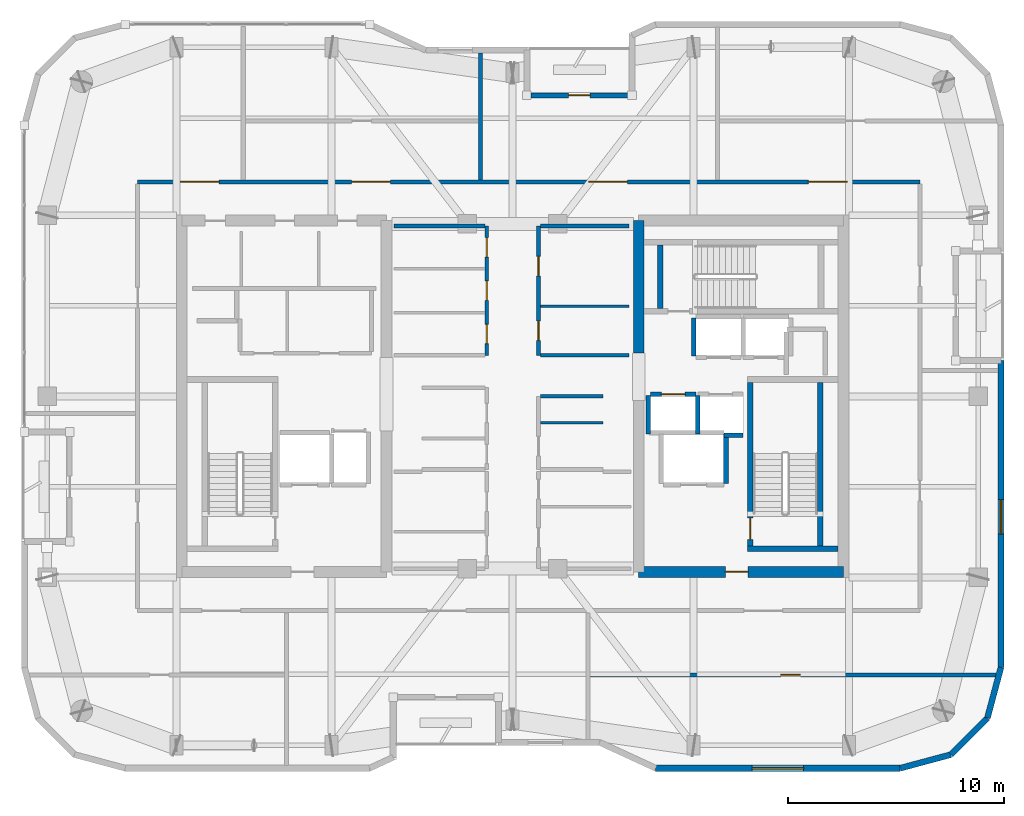
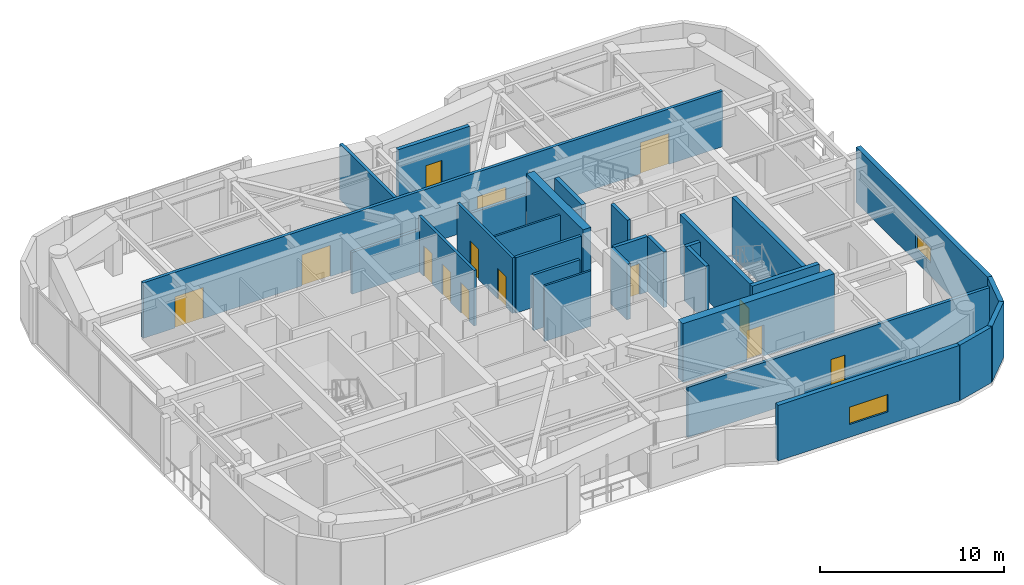
# One storey, part 12 of 16: 29 walls, 14 doors, 2 windows, 16 openings.
"""IFC4 building model written with IfcOpenShell, lengths in metres."""

from ifc_helpers import new_model, si_unit, direction, frame, frame_2d, origin, place, context, subcontext, project, spatial, rectangle, extrude, material, layer, layer_set, type_object, element, fill, save


model = new_model("IFC4")

# Units and contexts
model_context = context("Model", 3, precision=1e-05, world=origin(), true_north=direction((0.0, 1.0)))
body_context = subcontext(model_context, "Body", "Model", "MODEL_VIEW")
ifc_project = project(units=[si_unit("LENGTHUNIT", "METRE"), si_unit("AREAUNIT", "SQUARE_METRE"), si_unit("VOLUMEUNIT", "CUBIC_METRE"), si_unit("PLANEANGLEUNIT", "RADIAN"), si_unit("MASSUNIT", "GRAM", prefix="KILO")], contexts=[model_context])

# Site, building, storey
site_placement = place(None, origin())
site = spatial("IfcSite", under=ifc_project, at=site_placement, CompositionType="ELEMENT")
building_placement = place(site_placement, origin())
building = spatial("IfcBuilding", under=site, at=building_placement, Name="Kiyonajd Concourse Tower", CompositionType="ELEMENT")
storey_placement = place(building_placement, frame((0.0, 0.0, 329.699951171875)))
storey = spatial("IfcBuildingStorey", under=building, at=storey_placement, Name="L83", CompositionType="ELEMENT", Elevation=329.699951171875)

# Wall
ifc_material_1 = material(Name="Concrete C60/75", Category="concrete")
ifc_layer_1 = layer(ifc_material_1, 0.5)
ifc_layer_set_1 = layer_set([ifc_layer_1], Name="Concrete C60/75")
wall_type_1 = type_object("IfcWallType", Name="WL-CORE-500", PredefinedType="SHEAR", material=ifc_layer_set_1)
wall_1_placement = place(storey_placement, frame((53.85009765625, 38.0, 0.0), z_axis=(0.0, 0.0, 1.0), x_axis=(0.0, 1.0, 0.0)))
element("IfcWall", 1, at=wall_1_placement, inside=storey, type_object=wall_type_1, Name="L83 East Core Inner North Shear Wall", PredefinedType="SHEAR", context=body_context, shape_type="SweptSolid", body=[
    extrude(rectangle(XDim=6.14990234375, YDim=0.5, at=frame_2d((3.074951171875, 0.0))), origin(), (0.0, 0.0, 1.0), 3.900146484375),
])

# Wall, opening, door
wall_2_placement = place(storey_placement, frame((53.85009765625, 27.85009765625, 0.0), z_axis=(0.0, 0.0, 1.0), x_axis=(1.0, 0.0, 0.0)))
wall_2 = element("IfcWall", 2, at=wall_2_placement, inside=storey, type_object=wall_type_1, Name="L83 East Core South Shear Wall", PredefinedType="SHEAR", context=body_context, shape_type="SweptSolid", body=[
    extrude(rectangle(XDim=9.5, YDim=0.5, at=frame_2d((4.75, 0.0))), origin(), (0.0, 0.0, 1.0), 3.900146484375),
])
opening_1_placement = place(wall_2_placement, frame((4.02490234375, 0.0, 0.0)))
opening_1 = element("IfcOpeningElement", 3, at=opening_1_placement, cuts=wall_2, Name="Opening DF5", PredefinedType="OPENING", context=body_context, shape_type="SweptSolid", body=[
    extrude(rectangle(XDim=1.050048828125, YDim=2.0400390625, at=frame_2d((0.52490234375, 1.02001953125))), frame((0.0, 0.260009765625, 0.0), z_axis=(0.0, -1.0, 0.0), x_axis=(1.0, 0.0, 0.0)), (0.0, 0.0, 1.0), 0.52001953125),
])
ifc_material_2 = material(Name="Brushed Stainless Steel Cab Assembly", Category="steel")
door_type_1 = type_object("IfcDoorType", Name="DR-FD45-1050", OperationType="NOTDEFINED", PredefinedType="DOOR", material=ifc_material_2)
door_1_placement = place(opening_1_placement, origin())
door_1 = element("IfcDoor", 4, at=door_1_placement, inside=storey, type_object=door_type_1, Name="L83 Firefighting Lift Lobby E Smoke Door", OperationType="SINGLE_SWING_RIGHT", OverallHeight=2.0400390625, OverallWidth=1.050048828125, PredefinedType="DOOR", context=body_context, shape_type="SweptSolid", body=[
    extrude(rectangle(XDim=1.050048828125, YDim=2.0400390625, at=frame_2d((0.52490234375, 1.02001953125))), frame((0.0, 0.02490234375, 0.0), z_axis=(0.0, -1.0, 0.0), x_axis=(1.0, 0.0, 0.0)), (0.0, 0.0, 1.0), 0.050048828125),
])
fill(opening_1, door_1)

# Wall, opening, window
ifc_material_3 = material(Name="Precast concrete C50/60", Category="concrete")
ifc_layer_2 = layer(ifc_material_3, 0.280029296875)
ifc_layer_set_2 = layer_set([ifc_layer_2], Name="Precast concrete C50/60")
wall_type_2 = type_object("IfcWallType", Name="WL-EXT-280", PredefinedType="SOLIDWALL", material=ifc_layer_set_2)
wall_3_placement = place(storey_placement, frame((70.659912109375, 37.659912109375, 0.0), z_axis=(0.0, 0.0, 1.0), x_axis=(0.0, -1.0, 0.0)))
wall_3 = element("IfcWall", 5, at=wall_3_placement, inside=storey, type_object=wall_type_2, Name="L83 Exterior Concrete Frame Wall 24", PredefinedType="SOLIDWALL", context=body_context, shape_type="SweptSolid", body=[
    extrude(rectangle(XDim=14.241455078125, YDim=0.280029296875, at=frame_2d((7.12060546875, 0.0))), origin(), (0.0, 0.0, 1.0), 3.679931640625),
])
opening_2_placement = place(wall_3_placement, frame((6.4560546875, 0.0, 0.85009765625)))
opening_2 = element("IfcOpeningElement", 6, at=opening_2_placement, cuts=wall_3, Name="Opening WN6", PredefinedType="OPENING", context=body_context, shape_type="SweptSolid", body=[
    extrude(rectangle(XDim=1.60009765625, YDim=1.0, at=frame_2d((0.800048828125, 0.5))), frame((0.0, 0.14990234375, 0.0), z_axis=(0.0, -1.0, 0.0), x_axis=(1.0, 0.0, 0.0)), (0.0, 0.0, 1.0), 0.300048828125),
])
ifc_material_4 = material(Name="Double Low-E Insulated Glass", Category="glass")
window_type_1 = type_object("IfcWindowType", Name="WN-VIS-1600x1000", PartitioningType="SINGLE_PANEL", PredefinedType="WINDOW", material=ifc_material_4)
window_1_placement = place(opening_2_placement, origin())
window_1 = element("IfcWindow", 7, at=window_1_placement, inside=storey, type_object=window_type_1, Name="L83 Modular Facade Vision Window 24", OverallHeight=1.0, OverallWidth=1.60009765625, PartitioningType="SINGLE_PANEL", PredefinedType="WINDOW", context=body_context, shape_type="SweptSolid", body=[
    extrude(rectangle(XDim=1.60009765625, YDim=1.0, at=frame_2d((0.800048828125, 0.5))), frame((0.0, 0.030029296875, 0.0), z_axis=(0.0, -1.0, 0.0), x_axis=(1.0, 0.0, 0.0)), (0.0, 0.0, 1.0), 0.06005859375),
])
fill(opening_2, window_1)

# Walls
wall_4_placement = place(storey_placement, frame((70.659912109375, 23.41845703125, 0.0), z_axis=(0.0, 0.0, 1.0), x_axis=(-0.258751159445, -0.965944013639, 0.0)))
element("IfcWall", 8, at=wall_4_placement, inside=storey, type_object=wall_type_2, Name="L83 Exterior Concrete Frame Wall 25", PredefinedType="SOLIDWALL", context=body_context, shape_type="SweptSolid", body=[
    extrude(rectangle(XDim=2.4287109375, YDim=0.280029296875, at=frame_2d((1.21435546875, 0.0))), origin(), (0.0, 0.0, 1.0), 3.679931640625),
])
wall_5_placement = place(storey_placement, frame((70.031494140625, 21.072509765625, 0.0), z_axis=(0.0, 0.0, 1.0), x_axis=(-0.707106781187, -0.707106781187, 0.0)))
element("IfcWall", 9, at=wall_5_placement, inside=storey, type_object=wall_type_2, Name="L83 Exterior Concrete Frame Wall 26", PredefinedType="SOLIDWALL", context=body_context, shape_type="SweptSolid", body=[
    extrude(rectangle(XDim=2.409912109375, YDim=0.280029296875, at=frame_2d((1.205078125, 0.0))), origin(), (0.0, 0.0, 1.0), 3.679931640625),
])
wall_6_placement = place(storey_placement, frame((68.327392578125, 19.368408203125, 0.0), z_axis=(0.0, 0.0, 1.0), x_axis=(-0.965937282298, -0.25877628691, 0.0)))
element("IfcWall", 10, at=wall_6_placement, inside=storey, type_object=wall_type_2, Name="L83 Exterior Concrete Frame Wall 27", PredefinedType="SOLIDWALL", context=body_context, shape_type="SweptSolid", body=[
    extrude(rectangle(XDim=2.428466796875, YDim=0.280029296875, at=frame_2d((1.21435546875, 0.0))), origin(), (0.0, 0.0, 1.0), 3.679931640625),
])

# Wall, opening, window
wall_7_placement = place(storey_placement, frame((65.981689453125, 18.739990234375, 0.0), z_axis=(0.0, 0.0, 1.0), x_axis=(-1.0, 0.0, 0.0)))
wall_7 = element("IfcWall", 11, at=wall_7_placement, inside=storey, type_object=wall_type_2, Name="L83 Exterior Concrete Frame Wall 28", PredefinedType="SOLIDWALL", context=body_context, shape_type="SweptSolid", body=[
    extrude(rectangle(XDim=11.35107421875, YDim=0.280029296875, at=frame_2d((5.675537109375, 0.0))), origin(), (0.0, 0.0, 1.0), 3.679931640625),
])
opening_3_placement = place(wall_7_placement, frame((4.47509765625, 0.0, 0.85009765625)))
opening_3 = element("IfcOpeningElement", 12, at=opening_3_placement, cuts=wall_7, Name="Opening WN4", PredefinedType="OPENING", context=body_context, shape_type="SweptSolid", body=[
    extrude(rectangle(XDim=2.39990234375, YDim=1.14990234375, at=frame_2d((1.199951171875, 0.574951171875))), frame((0.0, 0.14990234375, 0.0), z_axis=(0.0, -1.0, 0.0), x_axis=(1.0, 0.0, 0.0)), (0.0, 0.0, 1.0), 0.300048828125),
])
window_type_2 = type_object("IfcWindowType", Name="WN-VIS-2400x1150", PartitioningType="SINGLE_PANEL", PredefinedType="WINDOW", material=ifc_material_4)
window_2_placement = place(opening_3_placement, origin())
window_2 = element("IfcWindow", 13, at=window_2_placement, inside=storey, type_object=window_type_2, Name="L83 Modular Facade Vision Window 28", OverallHeight=1.14990234375, OverallWidth=2.39990234375, PartitioningType="SINGLE_PANEL", PredefinedType="WINDOW", context=body_context, shape_type="SweptSolid", body=[
    extrude(rectangle(XDim=2.39990234375, YDim=1.14990234375, at=frame_2d((1.199951171875, 0.574951171875))), frame((0.0, 0.030029296875, 0.0), z_axis=(0.0, -1.0, 0.0), x_axis=(1.0, 0.0, 0.0)), (0.0, 0.0, 1.0), 0.06005859375),
])
fill(opening_3, window_2)

# Wall, opening, door
ifc_layer_3 = layer(ifc_material_3, 0.239990234375)
ifc_layer_set_3 = layer_set([ifc_layer_3], Name="Precast concrete C50/60")
wall_type_3 = type_object("IfcWallType", Name="WL-LOG-240", PredefinedType="SOLIDWALL", material=ifc_layer_set_3)
wall_8_placement = place(storey_placement, frame((48.85498046875, 49.9599609375, 0.0), z_axis=(0.0, 0.0, 1.0), x_axis=(1.0, 0.0, 0.0)))
wall_8 = element("IfcWall", 14, at=wall_8_placement, inside=storey, type_object=wall_type_3, Name="L83 Recessed Loggia Thermal Wall LOG-N", PredefinedType="SOLIDWALL", context=body_context, shape_type="SweptSolid", body=[
    extrude(rectangle(XDim=4.489990234375, YDim=0.239990234375, at=frame_2d((2.2451171875, 0.0))), origin(), (0.0, 0.0, 1.0), 3.679931640625),
])
opening_4_placement = place(wall_8_placement, frame((1.7451171875, 0.0, 0.0)))
opening_4 = element("IfcOpeningElement", 15, at=opening_4_placement, cuts=wall_8, Name="Opening DL1", PredefinedType="OPENING", context=body_context, shape_type="SweptSolid", body=[
    extrude(rectangle(XDim=1.0, YDim=2.02001953125, at=frame_2d((0.5, 1.010009765625))), frame((0.0, 0.1298828125, 0.0), z_axis=(0.0, -1.0, 0.0), x_axis=(1.0, 0.0, 0.0)), (0.0, 0.0, 1.0), 0.260009765625),
])
ifc_material_5 = material(Name="Thermally Broken Anodised Aluminium", Category="aluminium")
door_type_2 = type_object("IfcDoorType", Name="DR-LOG-1000", OperationType="NOTDEFINED", PredefinedType="DOOR", material=ifc_material_5)
door_2_placement = place(opening_4_placement, origin())
door_2 = element("IfcDoor", 16, at=door_2_placement, inside=storey, type_object=door_type_2, Name="L83 Engawa Loggia Access Door LOG-N", OperationType="SINGLE_SWING_RIGHT", OverallHeight=2.02001953125, OverallWidth=1.0, PredefinedType="DOOR", context=body_context, shape_type="SweptSolid", body=[
    extrude(rectangle(XDim=1.0, YDim=2.02001953125, at=frame_2d((0.5, 1.010009765625))), frame((0.0, 0.02490234375, 0.0), z_axis=(0.0, -1.0, 0.0), x_axis=(1.0, 0.0, 0.0)), (0.0, 0.0, 1.0), 0.050048828125),
])
fill(opening_4, door_2)

# Walls
ifc_material_6 = material(Name="Gypsum Board on Cold-Formed Steel Stud", Category="steel")
ifc_layer_4 = layer(ifc_material_6, 0.125)
ifc_layer_set_4 = layer_set([ifc_layer_4], Name="Gypsum Board on Cold-Formed Steel Stud")
wall_type_4 = type_object("IfcWallType", Name="WL-PART-125", PredefinedType="PARTITIONING", material=ifc_layer_set_4)
wall_9_placement = place(storey_placement, frame((49.287109375, 34.77587890625, 0.0), z_axis=(0.0, 0.0, 1.0), x_axis=(1.0, 0.0, 0.0)))
element("IfcWall", 17, at=wall_9_placement, inside=storey, type_object=wall_type_4, Name="L83 Interior Partition Wall", PredefinedType="PARTITIONING", context=body_context, shape_type="SweptSolid", body=[
    extrude(rectangle(XDim=2.912841796875, YDim=0.125, at=frame_2d((1.45654296875, 0.0))), origin(), (0.0, 0.0, 1.0), 3.679931640625),
])
wall_10_placement = place(storey_placement, frame((49.287109375, 40.179931640625, 0.0), z_axis=(0.0, 0.0, 1.0), x_axis=(1.0, 0.0, 0.0)))
element("IfcWall", 18, at=wall_10_placement, inside=storey, type_object=wall_type_4, Name="L83 Interior Partition Wall", PredefinedType="PARTITIONING", context=body_context, shape_type="SweptSolid", body=[
    extrude(rectangle(XDim=4.11279296875, YDim=0.125, at=frame_2d((2.056396484375, 0.0))), origin(), (0.0, 0.0, 1.0), 3.679931640625),
])

# Wall, openings, doors
ifc_layer_5 = layer(ifc_material_6, 0.18994140625)
ifc_layer_set_5 = layer_set([ifc_layer_5], Name="Gypsum Board on Cold-Formed Steel Stud")
wall_type_5 = type_object("IfcWallType", Name="WL-PLMB-190", PredefinedType="PLUMBINGWALL", material=ifc_layer_set_5)
wall_11_placement = place(storey_placement, frame((30.60009765625, 45.949951171875, 0.0), z_axis=(0.0, 0.0, 1.0), x_axis=(1.0, 0.0, 0.0)))
wall_11 = element("IfcWall", 19, at=wall_11_placement, inside=storey, type_object=wall_type_5, Name="L83 Interior Partition Wall", PredefinedType="PLUMBINGWALL", context=body_context, shape_type="SweptSolid", body=[
    extrude(rectangle(XDim=36.2998046875, YDim=0.18994140625, at=frame_2d((18.14990234375, 0.0))), origin(), (0.0, 0.0, 1.0), 3.679931640625),
])
opening_5_placement = place(wall_11_placement, frame((1.97509765625, 0.0, 0.0)))
opening_5 = element("IfcOpeningElement", 20, at=opening_5_placement, cuts=wall_11, Name="Opening DI3", PredefinedType="OPENING", context=body_context, shape_type="SweptSolid", body=[
    extrude(rectangle(XDim=1.800048828125, YDim=2.06005859375, at=frame_2d((0.89990234375, 1.030029296875))), frame((0.0, 0.10498046875, 0.0), z_axis=(0.0, -1.0, 0.0), x_axis=(1.0, 0.0, 0.0)), (0.0, 0.0, 1.0), 0.2099609375),
])
opening_6_placement = place(wall_11_placement, frame((9.925048828125, 0.0, 0.0)))
opening_6 = element("IfcOpeningElement", 21, at=opening_6_placement, cuts=wall_11, Name="Opening DI3", PredefinedType="OPENING", context=body_context, shape_type="SweptSolid", body=[
    extrude(rectangle(XDim=1.800048828125, YDim=2.06005859375, at=frame_2d((0.89990234375, 1.030029296875))), frame((0.0, 0.10498046875, 0.0), z_axis=(0.0, -1.0, 0.0), x_axis=(1.0, 0.0, 0.0)), (0.0, 0.0, 1.0), 0.2099609375),
])
opening_7_placement = place(wall_11_placement, frame((20.925048828125, 0.0, 0.0)))
opening_7 = element("IfcOpeningElement", 22, at=opening_7_placement, cuts=wall_11, Name="Opening DI3", PredefinedType="OPENING", context=body_context, shape_type="SweptSolid", body=[
    extrude(rectangle(XDim=1.800048828125, YDim=2.06005859375, at=frame_2d((0.89990234375, 1.030029296875))), frame((0.0, 0.10498046875, 0.0), z_axis=(0.0, -1.0, 0.0), x_axis=(1.0, 0.0, 0.0)), (0.0, 0.0, 1.0), 0.2099609375),
])
opening_8_placement = place(wall_11_placement, frame((31.125, 0.0, 0.0)))
opening_8 = element("IfcOpeningElement", 23, at=opening_8_placement, cuts=wall_11, Name="Opening DI3", PredefinedType="OPENING", context=body_context, shape_type="SweptSolid", body=[
    extrude(rectangle(XDim=1.800048828125, YDim=2.06005859375, at=frame_2d((0.89990234375, 1.030029296875))), frame((0.0, 0.10498046875, 0.0), z_axis=(0.0, -1.0, 0.0), x_axis=(1.0, 0.0, 0.0)), (0.0, 0.0, 1.0), 0.2099609375),
])
door_type_3 = type_object("IfcDoorType", Name="DR-PAIR-1800", OperationType="DOUBLE_DOOR_SINGLE_SWING", PredefinedType="DOOR", material=ifc_material_2)
door_3_placement = place(opening_5_placement, origin())
door_3 = element("IfcDoor", 24, at=door_3_placement, inside=storey, type_object=door_type_3, Name="L83 Interior Door", OperationType="DOUBLE_DOOR_SINGLE_SWING", OverallHeight=2.06005859375, OverallWidth=1.800048828125, PredefinedType="DOOR", context=body_context, shape_type="SweptSolid", body=[
    extrude(rectangle(XDim=1.800048828125, YDim=2.06005859375, at=frame_2d((0.89990234375, 1.030029296875))), frame((0.0, 0.02490234375, 0.0), z_axis=(0.0, -1.0, 0.0), x_axis=(1.0, 0.0, 0.0)), (0.0, 0.0, 1.0), 0.050048828125),
])
fill(opening_5, door_3)
door_4_placement = place(opening_6_placement, origin())
door_4 = element("IfcDoor", 25, at=door_4_placement, inside=storey, type_object=door_type_3, Name="L83 Interior Door", OperationType="DOUBLE_DOOR_SINGLE_SWING", OverallHeight=2.06005859375, OverallWidth=1.800048828125, PredefinedType="DOOR", context=body_context, shape_type="SweptSolid", body=[
    extrude(rectangle(XDim=1.800048828125, YDim=2.06005859375, at=frame_2d((0.89990234375, 1.030029296875))), frame((0.0, 0.02490234375, 0.0), z_axis=(0.0, -1.0, 0.0), x_axis=(1.0, 0.0, 0.0)), (0.0, 0.0, 1.0), 0.050048828125),
])
fill(opening_6, door_4)
door_5_placement = place(opening_7_placement, origin())
door_5 = element("IfcDoor", 26, at=door_5_placement, inside=storey, type_object=door_type_3, Name="L83 Interior Door", OperationType="DOUBLE_DOOR_SINGLE_SWING", OverallHeight=2.06005859375, OverallWidth=1.800048828125, PredefinedType="DOOR", context=body_context, shape_type="SweptSolid", body=[
    extrude(rectangle(XDim=1.800048828125, YDim=2.06005859375, at=frame_2d((0.89990234375, 1.030029296875))), frame((0.0, 0.02490234375, 0.0), z_axis=(0.0, -1.0, 0.0), x_axis=(1.0, 0.0, 0.0)), (0.0, 0.0, 1.0), 0.050048828125),
])
fill(opening_7, door_5)
door_6_placement = place(opening_8_placement, origin())
door_6 = element("IfcDoor", 27, at=door_6_placement, inside=storey, type_object=door_type_3, Name="L83 Interior Door", OperationType="DOUBLE_DOOR_SINGLE_SWING", OverallHeight=2.06005859375, OverallWidth=1.800048828125, PredefinedType="DOOR", context=body_context, shape_type="SweptSolid", body=[
    extrude(rectangle(XDim=1.800048828125, YDim=2.06005859375, at=frame_2d((0.89990234375, 1.030029296875))), frame((0.0, 0.02490234375, 0.0), z_axis=(0.0, -1.0, 0.0), x_axis=(1.0, 0.0, 0.0)), (0.0, 0.0, 1.0), 0.050048828125),
])
fill(opening_8, door_6)

# Wall, opening, door
wall_12_placement = place(storey_placement, frame((51.5, 23.070068359375, 0.0), z_axis=(0.0, 0.0, 1.0), x_axis=(1.0, 0.0, 0.0)))
wall_12 = element("IfcWall", 28, at=wall_12_placement, inside=storey, type_object=wall_type_5, Name="L83 Interior Partition Wall", PredefinedType="PLUMBINGWALL", context=body_context, shape_type="SweptSolid", body=[
    extrude(rectangle(XDim=18.925048828125, YDim=0.18994140625, at=frame_2d((9.46240234375, 0.0))), origin(), (0.0, 0.0, 1.0), 3.31103515625),
])
opening_9_placement = place(wall_12_placement, frame((8.949951171875, 0.0, 0.0)))
opening_9 = element("IfcOpeningElement", 29, at=opening_9_placement, cuts=wall_12, Name="Opening DI2", PredefinedType="OPENING", context=body_context, shape_type="SweptSolid", body=[
    extrude(rectangle(XDim=0.89990234375, YDim=2.02001953125, at=frame_2d((0.449951171875, 1.010009765625))), frame((0.0, 0.10498046875, 0.0), z_axis=(0.0, -1.0, 0.0), x_axis=(1.0, 0.0, 0.0)), (0.0, 0.0, 1.0), 0.2099609375),
])
ifc_material_7 = material(Name="Natural Oak Acoustic Timber Veneer", Category="wood")
door_type_4 = type_object("IfcDoorType", Name="DR-INT-900", OperationType="NOTDEFINED", PredefinedType="DOOR", material=ifc_material_7)
door_7_placement = place(opening_9_placement, origin())
door_7 = element("IfcDoor", 30, at=door_7_placement, inside=storey, type_object=door_type_4, Name="L83 Interior Door", OperationType="SINGLE_SWING_RIGHT", OverallHeight=2.02001953125, OverallWidth=0.89990234375, PredefinedType="DOOR", context=body_context, shape_type="SweptSolid", body=[
    extrude(rectangle(XDim=0.89990234375, YDim=2.02001953125, at=frame_2d((0.449951171875, 1.010009765625))), frame((0.0, 0.02490234375, 0.0), z_axis=(0.0, -1.0, 0.0), x_axis=(1.0, 0.0, 0.0)), (0.0, 0.0, 1.0), 0.050048828125),
])
fill(opening_9, door_7)

# Walls
wall_13_placement = place(storey_placement, frame((46.5, 46.047119140625, 0.0), z_axis=(0.0, 0.0, 1.0), x_axis=(0.0, 1.0, 0.0)))
element("IfcWall", 31, at=wall_13_placement, inside=storey, type_object=wall_type_5, Name="L83 Interior Partition Wall", PredefinedType="PLUMBINGWALL", context=body_context, shape_type="SweptSolid", body=[
    extrude(rectangle(XDim=5.8779296875, YDim=0.18994140625, at=frame_2d((2.93896484375, 0.0))), origin(), (0.0, 0.0, 1.0), 3.679931640625),
])
ifc_layer_6 = layer(ifc_material_6, 0.2099609375)
ifc_layer_set_6 = layer_set([ifc_layer_6], Name="Gypsum Board on Cold-Formed Steel Stud")
wall_type_6 = type_object("IfcWallType", Name="WL-SHAFT-210", PredefinedType="PARTITIONING", material=ifc_layer_set_6)
wall_14_placement = place(storey_placement, frame((57.89990234375, 31.9599609375, 0.0), z_axis=(0.0, 0.0, 1.0), x_axis=(0.0, 1.0, 0.0)))
element("IfcWall", 32, at=wall_14_placement, inside=storey, type_object=wall_type_6, Name="L83 Shaft Enclosure Wall", PredefinedType="PARTITIONING", context=body_context, shape_type="SweptSolid", body=[
    extrude(rectangle(XDim=2.280029296875, YDim=0.2099609375, at=frame_2d((1.14013671875, 0.0))), origin(), (0.0, 0.0, 1.0), 3.679931640625),
])

# Wall, opening, door
wall_15_placement = place(storey_placement, frame((54.39990234375, 36.10009765625, 0.0), z_axis=(0.0, 0.0, 1.0), x_axis=(1.0, 0.0, 0.0)))
wall_15 = element("IfcWall", 33, at=wall_15_placement, inside=storey, type_object=wall_type_6, Name="L83 Shaft Enclosure Wall", PredefinedType="PARTITIONING", context=body_context, shape_type="SweptSolid", body=[
    extrude(rectangle(XDim=2.10009765625, YDim=0.2099609375, at=frame_2d((1.050048828125, 0.0))), origin(), (0.0, 0.0, 1.0), 3.679931640625),
])
opening_10_placement = place(wall_15_placement, frame((0.5, 0.0, 0.0)))
opening_10 = element("IfcOpeningElement", 34, at=opening_10_placement, cuts=wall_15, Name="Opening LD1", PredefinedType="OPENING", context=body_context, shape_type="SweptSolid", body=[
    extrude(rectangle(XDim=1.10009765625, YDim=2.0400390625, at=frame_2d((0.550048828125, 1.02001953125))), frame((0.0, 0.114990234375, 0.0), z_axis=(0.0, -1.0, 0.0), x_axis=(1.0, 0.0, 0.0)), (0.0, 0.0, 1.0), 0.22998046875),
])
door_type_5 = type_object("IfcDoorType", Name="DR-LD-1100", OperationType="DOUBLE_DOOR_SLIDING", PredefinedType="DOOR", material=ifc_material_2)
door_8_placement = place(opening_10_placement, origin())
door_8 = element("IfcDoor", 35, at=door_8_placement, inside=storey, type_object=door_type_5, Name="L83 Lift PL-H1 Sliding Landing Door", OperationType="DOUBLE_DOOR_SLIDING", OverallHeight=2.0400390625, OverallWidth=1.10009765625, PredefinedType="DOOR", context=body_context, shape_type="SweptSolid", body=[
    extrude(rectangle(XDim=1.10009765625, YDim=2.0400390625, at=frame_2d((0.550048828125, 1.02001953125))), frame((0.0, 0.02490234375, 0.0), z_axis=(0.0, -1.0, 0.0), x_axis=(1.0, 0.0, 0.0)), (0.0, 0.0, 1.0), 0.050048828125),
])
fill(opening_10, door_8)

# Walls
for number, where, z_axis, x_axis, name in (
    (36, (54.300048828125, 34.260009765625, 0.0), (0.0, 0.0, 1.0), (0.0, 1.0, 0.0), "L83 Shaft Enclosure Wall"),
    (37, (56.60009765625, 34.260009765625, 0.0), (0.0, 0.0, 1.0), (0.0, 1.0, 0.0), "L83 Shaft Enclosure Wall"),
):
    element("IfcWall", number, at=place(storey_placement, frame(where, z_axis=z_axis, x_axis=x_axis)), inside=storey, type_object=wall_type_6, Name=name, PredefinedType="PARTITIONING", context=body_context, shape_type="SweptSolid", body=[
        extrude(rectangle(XDim=1.780029296875, YDim=0.2099609375, at=frame_2d((0.89013671875, 0.0))), origin(), (0.0, 0.0, 1.0), 3.679931640625),
    ])
wall_16_placement = place(storey_placement, frame((57.800048828125, 34.199951171875, 0.0), z_axis=(0.0, 0.0, 1.0), x_axis=(1.0, 0.0, 0.0)))
element("IfcWall", 38, at=wall_16_placement, inside=storey, type_object=wall_type_6, Name="L83 Shaft Enclosure Wall", PredefinedType="PARTITIONING", context=body_context, shape_type="SweptSolid", body=[
    extrude(rectangle(XDim=0.89990234375, YDim=0.2099609375, at=frame_2d((0.449951171875, 0.0))), origin(), (0.0, 0.0, 1.0), 3.679931640625),
])
wall_17_placement = place(storey_placement, frame((56.39990234375, 37.860107421875, 0.0), z_axis=(0.0, 0.0, 1.0), x_axis=(0.0, 1.0, 0.0)))
element("IfcWall", 39, at=wall_17_placement, inside=storey, type_object=wall_type_6, Name="L83 Shaft Enclosure Wall", PredefinedType="PARTITIONING", context=body_context, shape_type="SweptSolid", body=[
    extrude(rectangle(XDim=1.77978515625, YDim=0.2099609375, at=frame_2d((0.889892578125, 0.0))), origin(), (0.0, 0.0, 1.0), 3.679931640625),
])
ifc_layer_7 = layer(ifc_material_6, 0.169921875)
ifc_layer_set_7 = layer_set([ifc_layer_7], Name="Gypsum Board on Cold-Formed Steel Stud")
wall_type_7 = type_object("IfcWallType", Name="WL-SMK-170", PredefinedType="PARTITIONING", material=ifc_layer_set_7)
wall_18_placement = place(storey_placement, frame((49.287109375, 36.0, 0.0), z_axis=(0.0, 0.0, 1.0), x_axis=(1.0, 0.0, 0.0)))
element("IfcWall", 40, at=wall_18_placement, inside=storey, type_object=wall_type_7, Name="L83 Interior Partition Wall", PredefinedType="PARTITIONING", context=body_context, shape_type="SweptSolid", body=[
    extrude(rectangle(XDim=2.912841796875, YDim=0.169921875, at=frame_2d((1.45654296875, 0.0))), origin(), (0.0, 0.0, 1.0), 3.679931640625),
])

# Wall, openings, doors
wall_19_placement = place(storey_placement, frame((46.800048828125, 37.89990234375, 0.0), z_axis=(0.0, 0.0, 1.0), x_axis=(0.0, 1.0, 0.0)))
wall_19 = element("IfcWall", 41, at=wall_19_placement, inside=storey, type_object=wall_type_7, Name="L83 Interior Partition Wall", PredefinedType="PARTITIONING", context=body_context, shape_type="SweptSolid", body=[
    extrude(rectangle(XDim=6.0, YDim=0.169921875, at=frame_2d((3.0, 0.0))), origin(), (0.0, 0.0, 1.0), 3.679931640625),
])
opening_11_placement = place(wall_19_placement, frame((0.5400390625, 0.0, 0.0)))
opening_11 = element("IfcOpeningElement", 42, at=opening_11_placement, cuts=wall_19, Name="Opening DI2", PredefinedType="OPENING", context=body_context, shape_type="SweptSolid", body=[
    extrude(rectangle(XDim=0.89990234375, YDim=2.02001953125, at=frame_2d((0.449951171875, 1.010009765625))), frame((0.0, 0.094970703125, 0.0), z_axis=(0.0, -1.0, 0.0), x_axis=(1.0, 0.0, 0.0)), (0.0, 0.0, 1.0), 0.18994140625),
])
opening_12_placement = place(wall_19_placement, frame((2.550048828125, 0.0, 0.0)))
opening_12 = element("IfcOpeningElement", 43, at=opening_12_placement, cuts=wall_19, Name="Opening DI2", PredefinedType="OPENING", context=body_context, shape_type="SweptSolid", body=[
    extrude(rectangle(XDim=0.89990234375, YDim=2.02001953125, at=frame_2d((0.449951171875, 1.010009765625))), frame((0.0, 0.094970703125, 0.0), z_axis=(0.0, -1.0, 0.0), x_axis=(1.0, 0.0, 0.0)), (0.0, 0.0, 1.0), 0.18994140625),
])
opening_13_placement = place(wall_19_placement, frame((4.56005859375, 0.0, 0.0)))
opening_13 = element("IfcOpeningElement", 44, at=opening_13_placement, cuts=wall_19, Name="Opening DI2", PredefinedType="OPENING", context=body_context, shape_type="SweptSolid", body=[
    extrude(rectangle(XDim=0.89990234375, YDim=2.02001953125, at=frame_2d((0.449951171875, 1.010009765625))), frame((0.0, 0.094970703125, 0.0), z_axis=(0.0, -1.0, 0.0), x_axis=(1.0, 0.0, 0.0)), (0.0, 0.0, 1.0), 0.18994140625),
])
door_9_placement = place(opening_11_placement, origin())
door_9 = element("IfcDoor", 45, at=door_9_placement, inside=storey, type_object=door_type_4, Name="L83 Interior Door", OperationType="SINGLE_SWING_RIGHT", OverallHeight=2.02001953125, OverallWidth=0.89990234375, PredefinedType="DOOR", context=body_context, shape_type="SweptSolid", body=[
    extrude(rectangle(XDim=0.89990234375, YDim=2.02001953125, at=frame_2d((0.449951171875, 1.010009765625))), frame((0.0, 0.02490234375, 0.0), z_axis=(0.0, -1.0, 0.0), x_axis=(1.0, 0.0, 0.0)), (0.0, 0.0, 1.0), 0.050048828125),
])
fill(opening_11, door_9)
door_10_placement = place(opening_12_placement, origin())
door_10 = element("IfcDoor", 46, at=door_10_placement, inside=storey, type_object=door_type_4, Name="L83 Interior Door", OperationType="SINGLE_SWING_LEFT", OverallHeight=2.02001953125, OverallWidth=0.89990234375, PredefinedType="DOOR", context=body_context, shape_type="SweptSolid", body=[
    extrude(rectangle(XDim=0.89990234375, YDim=2.02001953125, at=frame_2d((0.449951171875, 1.010009765625))), frame((0.0, 0.02490234375, 0.0), z_axis=(0.0, -1.0, 0.0), x_axis=(1.0, 0.0, 0.0)), (0.0, 0.0, 1.0), 0.050048828125),
])
fill(opening_12, door_10)
door_11_placement = place(opening_13_placement, origin())
door_11 = element("IfcDoor", 47, at=door_11_placement, inside=storey, type_object=door_type_4, Name="L83 Interior Door", OperationType="SINGLE_SWING_RIGHT", OverallHeight=2.02001953125, OverallWidth=0.89990234375, PredefinedType="DOOR", context=body_context, shape_type="SweptSolid", body=[
    extrude(rectangle(XDim=0.89990234375, YDim=2.02001953125, at=frame_2d((0.449951171875, 1.010009765625))), frame((0.0, 0.02490234375, 0.0), z_axis=(0.0, -1.0, 0.0), x_axis=(1.0, 0.0, 0.0)), (0.0, 0.0, 1.0), 0.050048828125),
])
fill(opening_13, door_11)

# Wall
wall_20_placement = place(storey_placement, frame((42.5, 43.89990234375, 0.0), z_axis=(0.0, 0.0, 1.0), x_axis=(1.0, 0.0, 0.0)))
element("IfcWall", 48, at=wall_20_placement, inside=storey, type_object=wall_type_7, Name="L83 Interior Partition Wall", PredefinedType="PARTITIONING", context=body_context, shape_type="SweptSolid", body=[
    extrude(rectangle(XDim=4.212890625, YDim=0.169921875, at=frame_2d((2.1064453125, 0.0))), origin(), (0.0, 0.0, 1.0), 2.76513671875),
])

# Wall, openings, doors
wall_21_placement = place(storey_placement, frame((49.199951171875, 37.89990234375, 0.0), z_axis=(0.0, 0.0, 1.0), x_axis=(0.0, 1.0, 0.0)))
wall_21 = element("IfcWall", 49, at=wall_21_placement, inside=storey, type_object=wall_type_7, Name="L83 Interior Partition Wall", PredefinedType="PARTITIONING", context=body_context, shape_type="SweptSolid", body=[
    extrude(rectangle(XDim=6.0, YDim=0.169921875, at=frame_2d((3.0, 0.0))), origin(), (0.0, 0.0, 1.0), 3.679931640625),
])
opening_14_placement = place(wall_21_placement, frame((0.68994140625, 0.0, 0.0)))
opening_14 = element("IfcOpeningElement", 50, at=opening_14_placement, cuts=wall_21, Name="Opening DI2", PredefinedType="OPENING", context=body_context, shape_type="SweptSolid", body=[
    extrude(rectangle(XDim=0.89990234375, YDim=2.02001953125, at=frame_2d((0.449951171875, 1.010009765625))), frame((0.0, 0.094970703125, 0.0), z_axis=(0.0, -1.0, 0.0), x_axis=(1.0, 0.0, 0.0)), (0.0, 0.0, 1.0), 0.18994140625),
])
opening_15_placement = place(wall_21_placement, frame((3.68994140625, 0.0, 0.0)))
opening_15 = element("IfcOpeningElement", 51, at=opening_15_placement, cuts=wall_21, Name="Opening DI2", PredefinedType="OPENING", context=body_context, shape_type="SweptSolid", body=[
    extrude(rectangle(XDim=0.89990234375, YDim=2.02001953125, at=frame_2d((0.449951171875, 1.010009765625))), frame((0.0, 0.094970703125, 0.0), z_axis=(0.0, -1.0, 0.0), x_axis=(1.0, 0.0, 0.0)), (0.0, 0.0, 1.0), 0.18994140625),
])
door_12_placement = place(opening_14_placement, origin())
door_12 = element("IfcDoor", 52, at=door_12_placement, inside=storey, type_object=door_type_4, Name="L83 Interior Door", OperationType="SINGLE_SWING_LEFT", OverallHeight=2.02001953125, OverallWidth=0.89990234375, PredefinedType="DOOR", context=body_context, shape_type="SweptSolid", body=[
    extrude(rectangle(XDim=0.89990234375, YDim=2.02001953125, at=frame_2d((0.449951171875, 1.010009765625))), frame((0.0, 0.02490234375, 0.0), z_axis=(0.0, -1.0, 0.0), x_axis=(1.0, 0.0, 0.0)), (0.0, 0.0, 1.0), 0.050048828125),
])
fill(opening_14, door_12)
door_13_placement = place(opening_15_placement, origin())
door_13 = element("IfcDoor", 53, at=door_13_placement, inside=storey, type_object=door_type_4, Name="L83 Interior Door", OperationType="SINGLE_SWING_RIGHT", OverallHeight=2.02001953125, OverallWidth=0.89990234375, PredefinedType="DOOR", context=body_context, shape_type="SweptSolid", body=[
    extrude(rectangle(XDim=0.89990234375, YDim=2.02001953125, at=frame_2d((0.449951171875, 1.010009765625))), frame((0.0, 0.02490234375, 0.0), z_axis=(0.0, -1.0, 0.0), x_axis=(1.0, 0.0, 0.0)), (0.0, 0.0, 1.0), 0.050048828125),
])
fill(opening_15, door_13)

# Walls
wall_22_placement = place(storey_placement, frame((49.287109375, 37.89990234375, 0.0), z_axis=(0.0, 0.0, 1.0), x_axis=(1.0, 0.0, 0.0)))
element("IfcWall", 54, at=wall_22_placement, inside=storey, type_object=wall_type_7, Name="L83 Interior Partition Wall", PredefinedType="PARTITIONING", context=body_context, shape_type="SweptSolid", body=[
    extrude(rectangle(XDim=4.11279296875, YDim=0.169921875, at=frame_2d((2.056396484375, 0.0))), origin(), (0.0, 0.0, 1.0), 3.679931640625),
])
wall_23_placement = place(storey_placement, frame((49.287109375, 43.89990234375, 0.0), z_axis=(0.0, 0.0, 1.0), x_axis=(1.0, 0.0, 0.0)))
element("IfcWall", 55, at=wall_23_placement, inside=storey, type_object=wall_type_7, Name="L83 Interior Partition Wall", PredefinedType="PARTITIONING", context=body_context, shape_type="SweptSolid", body=[
    extrude(rectangle(XDim=4.11279296875, YDim=0.169921875, at=frame_2d((2.056396484375, 0.0))), origin(), (0.0, 0.0, 1.0), 2.76513671875),
])
ifc_material_8 = material(Name="Concrete C50/60", Category="concrete")
ifc_layer_8 = layer(ifc_material_8, 0.260009765625)
ifc_layer_set_8 = layer_set([ifc_layer_8], Name="Concrete C50/60")
wall_type_8 = type_object("IfcWallType", Name="WL-STAIR-260", PredefinedType="SHEAR", material=ifc_layer_set_8)
wall_24_placement = place(storey_placement, frame((58.889892578125, 28.919921875, 0.0), z_axis=(0.0, 0.0, 1.0), x_axis=(1.0, 0.0, 0.0)))
element("IfcWall", 56, at=wall_24_placement, inside=storey, type_object=wall_type_8, Name="L83 Stair ST2 Structural South Wall", PredefinedType="SHEAR", context=body_context, shape_type="SweptSolid", body=[
    extrude(rectangle(XDim=4.210205078125, YDim=0.260009765625, at=frame_2d((2.10498046875, 0.0))), origin(), (0.0, 0.0, 1.0), 3.900146484375),
])

# Wall, opening, door
wall_25_placement = place(storey_placement, frame((59.02001953125, 29.050048828125, 0.0), z_axis=(0.0, 0.0, 1.0), x_axis=(0.0, 1.0, 0.0)))
wall_25 = element("IfcWall", 57, at=wall_25_placement, inside=storey, type_object=wall_type_8, Name="L83 Stair ST2 Structural West Wall", PredefinedType="SHEAR", context=body_context, shape_type="SweptSolid", body=[
    extrude(rectangle(XDim=7.599853515625, YDim=0.260009765625, at=frame_2d((3.7998046875, 0.0))), origin(), (0.0, 0.0, 1.0), 3.900146484375),
])
opening_16_placement = place(wall_25_placement, frame((0.300048828125, 0.0, 0.0)))
opening_16 = element("IfcOpeningElement", 58, at=opening_16_placement, cuts=wall_25, Name="Opening DF1", PredefinedType="OPENING", context=body_context, shape_type="SweptSolid", body=[
    extrude(rectangle(XDim=1.0, YDim=2.0400390625, at=frame_2d((0.5, 1.02001953125))), frame((0.0, 0.139892578125, 0.0), z_axis=(0.0, -1.0, 0.0), x_axis=(1.0, 0.0, 0.0)), (0.0, 0.0, 1.0), 0.280029296875),
])
door_type_6 = type_object("IfcDoorType", Name="DR-FD90-1000", OperationType="NOTDEFINED", PredefinedType="DOOR", material=ifc_material_2)
door_14_placement = place(opening_16_placement, origin())
door_14 = element("IfcDoor", 59, at=door_14_placement, inside=storey, type_object=door_type_6, Name="L83 Stair ST2 FSAE Door", OperationType="SINGLE_SWING_RIGHT", OverallHeight=2.0400390625, OverallWidth=1.0, PredefinedType="DOOR", context=body_context, shape_type="SweptSolid", body=[
    extrude(rectangle(XDim=1.0, YDim=2.0400390625, at=frame_2d((0.5, 1.02001953125))), frame((0.0, 0.02490234375, 0.0), z_axis=(0.0, -1.0, 0.0), x_axis=(1.0, 0.0, 0.0)), (0.0, 0.0, 1.0), 0.050048828125),
])
fill(opening_16, door_14)

# Walls
wall_26_placement = place(storey_placement, frame((62.280029296875, 29.050048828125, 0.0), z_axis=(0.0, 0.0, 1.0), x_axis=(0.0, 1.0, 0.0)))
element("IfcWall", 60, at=wall_26_placement, inside=storey, type_object=wall_type_8, Name="L83 Stair ST2 Structural East Wall", PredefinedType="SHEAR", context=body_context, shape_type="SweptSolid", body=[
    extrude(rectangle(XDim=7.599853515625, YDim=0.260009765625, at=frame_2d((3.7998046875, 0.0))), origin(), (0.0, 0.0, 1.0), 3.900146484375),
])
wall_27_placement = place(storey_placement, frame((54.85009765625, 40.080078125, 0.0), z_axis=(0.0, 0.0, 1.0), x_axis=(0.0, 1.0, 0.0)))
element("IfcWall", 61, at=wall_27_placement, inside=storey, type_object=wall_type_8, Name="L83 Stair ST3 Structural West Wall", PredefinedType="SHEAR", context=body_context, shape_type="SweptSolid", body=[
    extrude(rectangle(XDim=2.93994140625, YDim=0.260009765625, at=frame_2d((1.469970703125, 0.0))), origin(), (0.0, 0.0, 1.0), 3.900146484375),
])

save(model, "model.ifc")
